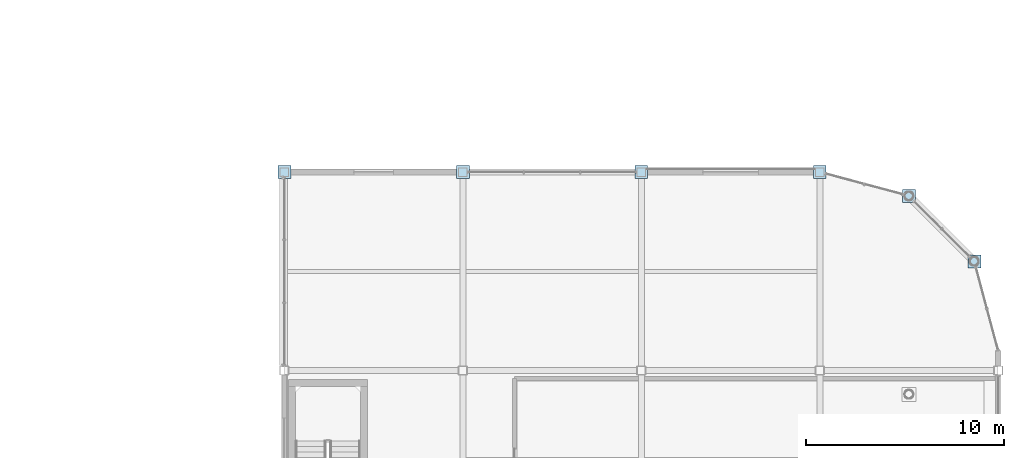
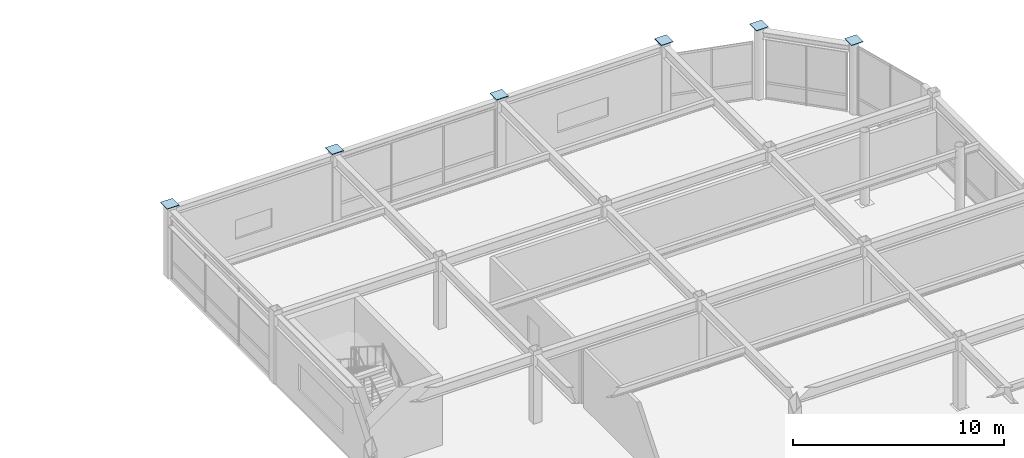
# One storey, part 71 of 105: 6 plates.
"""IFC4 building model written with IfcOpenShell, lengths in metres."""

import ifcopenshell
import ifcopenshell.guid

model = None  # the IFC model being written
_history = None  # IfcOwnerHistory: only IFC2X3 demands one
_inside = {}  # id of a spatial element -> (the spatial element, [elements in it])
_under = {}  # id of a project, library or spatial element -> (it, [spatial elements below it])
_declared = {}  # id of a project -> (the project, [libraries it declares])
_typed = {}  # id of a type object -> (the type object, [elements of that type])
_made_of = {}  # id of a material, layer set ... -> (it, [elements and type objects made of it])


def new_model(schema):
    """Start an empty IFC model of exactly this schema.

    Asked for "IFC4X3", IfcOpenShell would pick the latest addendum, in which some entities
    have other attributes; the version numbers below select the first issue.
    IFC2X3 requires an IfcOwnerHistory on every rooted entity: one is made here for all.
    """
    global model, _history
    if schema == "IFC4X3":
        model = ifcopenshell.file(schema_version=(4, 3, 0, 0))
    else:
        model = ifcopenshell.file(schema=schema)
    _inside.clear()
    _under.clear()
    _declared.clear()
    _typed.clear()
    _made_of.clear()
    _history = None
    if model.schema == "IFC2X3":
        org = make("IfcOrganization", Name="unknown")
        user = make(
            "IfcPersonAndOrganization",
            ThePerson=make("IfcPerson", FamilyName="unknown"),
            TheOrganization=org,
        )
        app = make(
            "IfcApplication",
            ApplicationDeveloper=org,
            Version="unknown",
            ApplicationFullName="unknown",
            ApplicationIdentifier="unknown",
        )
        _history = make(
            "IfcOwnerHistory",
            OwningUser=user,
            OwningApplication=app,
            ChangeAction="ADDED",
            CreationDate=0,
        )
    return model


def make(cls, **values):
    """One entity of the class cls with the attributes given. An attribute that is None is left unset."""
    return model.create_entity(
        cls, **{name: value for name, value in values.items() if value is not None}
    )


def rooted(cls, **values):
    """An entity with a GlobalId (a new one), such as an element, a storey or a relation."""
    return make(cls, GlobalId=ifcopenshell.guid.new(), OwnerHistory=_history, **values)


def si_unit(unit_type, name, prefix=None):
    """IfcSIUnit, for example si_unit("LENGTHUNIT", "METRE", prefix="MILLI")."""
    return make("IfcSIUnit", UnitType=unit_type, Prefix=prefix, Name=name)


def assignment(units):
    """IfcUnitAssignment: the units of a project."""
    return None if units is None else make("IfcUnitAssignment", Units=units)


def point(xyz):
    """IfcCartesianPoint."""
    return None if xyz is None else make("IfcCartesianPoint", Coordinates=xyz)


def direction(xyz):
    """IfcDirection."""
    return None if xyz is None else make("IfcDirection", DirectionRatios=xyz)


def frame(location, z_axis=None, x_axis=None):
    """IfcAxis2Placement3D, a coordinate frame: its origin and axes. An axis left out is left unset."""
    return make(
        "IfcAxis2Placement3D",
        Location=point(location),
        Axis=direction(z_axis),
        RefDirection=direction(x_axis),
    )


def frame_2d(location, x_axis=None):
    """IfcAxis2Placement2D, a coordinate frame in the plane: its origin and x axis."""
    return make(
        "IfcAxis2Placement2D", Location=point(location), RefDirection=direction(x_axis)
    )


def origin():
    """The frame at (0, 0, 0) with its axes left unset."""
    return frame((0.0, 0.0, 0.0))


def origin_2d():
    """The frame at (0, 0) in the plane with its x axis left unset."""
    return frame_2d((0.0, 0.0))


def place(relative_to, where):
    """IfcLocalPlacement: puts the frame where relative to a parent placement (None: the world)."""
    return make(
        "IfcLocalPlacement", PlacementRelTo=relative_to, RelativePlacement=where
    )


def context(
    kind, dimensions, precision=None, world=None, true_north=None, identifier=None
):
    """IfcGeometricRepresentationContext, for example the 3D "Model" context."""
    return make(
        "IfcGeometricRepresentationContext",
        ContextIdentifier=identifier,
        ContextType=kind,
        CoordinateSpaceDimension=dimensions,
        Precision=precision,
        WorldCoordinateSystem=world,
        TrueNorth=true_north,
    )


def subcontext(parent, identifier, kind, view, scale=None):
    """IfcGeometricRepresentationSubContext, for example "Body" below "Model"."""
    return make(
        "IfcGeometricRepresentationSubContext",
        ContextIdentifier=identifier,
        ContextType=kind,
        ParentContext=parent,
        TargetScale=scale,
        TargetView=view,
    )


def project(units=None, contexts=None):
    """IfcProject with its units and contexts."""
    return rooted(
        "IfcProject",
        Name="project",
        RepresentationContexts=contexts,
        UnitsInContext=assignment(units),
    )


def spatial(cls, under=None, at=None, **own):
    """A site, building, storey or space (cls), placed at a placement, below another one or the project."""
    s = rooted(cls, ObjectPlacement=at, **own)
    if under is not None:
        _under.setdefault(under.id(), (under, []))[1].append(s)
    return s


def profile(cls, at=None, kind="AREA", **sizes):
    """A parametric profile (cls). Its sizes go by their IFC names, for example OverallWidth=200.0."""
    return make(cls, ProfileType=kind, Position=at, **sizes)


def rectangle(**sizes):
    """IfcRectangleProfileDef."""
    return profile("IfcRectangleProfileDef", **sizes)


def extrude(swept, where, along, depth):
    """IfcExtrudedAreaSolid: the profile swept, set in the frame where, extruded along a direction by depth."""
    return make(
        "IfcExtrudedAreaSolid",
        SweptArea=swept,
        Position=where,
        ExtrudedDirection=direction(along),
        Depth=depth,
    )


def shape(context_of_items, identifier, shape_type, items):
    """IfcShapeRepresentation: the items that make up one representation, for example the "Body"."""
    return make(
        "IfcShapeRepresentation",
        ContextOfItems=context_of_items,
        RepresentationIdentifier=identifier,
        RepresentationType=shape_type,
        Items=items,
    )


def material(Name=None, Category=None):
    """IfcMaterial."""
    return make("IfcMaterial", Name=Name, Category=Category)


def layer(
    of_material, thickness, ventilated=None, Name=None, Category=None, Priority=None
):
    """IfcMaterialLayer: one layer of a wall or slab, of a material (None: an air gap)."""
    return make(
        "IfcMaterialLayer",
        Material=of_material,
        LayerThickness=thickness,
        IsVentilated=ventilated,
        Name=Name,
        Category=Category,
        Priority=Priority,
    )


def layer_set(layers, Name=None):
    """IfcMaterialLayerSet."""
    return make("IfcMaterialLayerSet", MaterialLayers=layers, LayerSetName=Name)


def made_of(thing, what):
    """Note that an element or type object is made of a material, layer set ...; save() writes the relation."""
    if what is not None:
        _made_of.setdefault(what.id(), (what, []))[1].append(thing)
    return thing


def type_object(cls, material=None, **own):
    """A type object (cls), such as IfcWallType, which elements share."""
    return made_of(rooted(cls, **own), material)


def element(
    cls,
    number,
    at=None,
    inside=None,
    cuts=None,
    type_object=None,
    material=None,
    context=None,
    identifier="Body",
    shape_type=None,
    held_by="IfcProductDefinitionShape",
    body=None,
    shapes=None,
    **own,
):
    """One element of the class cls, such as IfcWall. Its Tag is "e" and its number.

    at: its placement. inside: the storey or other place that contains it. cuts: it is an
    opening in that element (IfcRelVoidsElement). A single representation is given by context,
    identifier, shape_type and body (its items); several are given by shapes. held_by: the class
    of the entity that holds the representations. save() writes the other relations.
    """
    e = rooted(cls, Tag="e%d" % number, ObjectPlacement=at, **own)
    if body is not None:
        shapes = [shape(context, identifier, shape_type, body)]
    if shapes is not None:
        e.Representation = make(held_by, Representations=shapes)
    if inside is not None:
        _inside.setdefault(inside.id(), (inside, []))[1].append(e)
    if cuts is not None:
        rooted(
            "IfcRelVoidsElement", RelatingBuildingElement=cuts, RelatedOpeningElement=e
        )
    if type_object is not None:
        _typed.setdefault(type_object.id(), (type_object, []))[1].append(e)
    return made_of(e, material)


def aggregate(whole, parts):
    """IfcRelAggregates: a whole, such as a stair, and the parts it consists of."""
    return rooted("IfcRelAggregates", RelatingObject=whole, RelatedObjects=parts)


def save(model, path):
    """Write the relations noted so far, then the file.

    IfcRelAggregates (storeys below a building ...), IfcRelContainedInSpatialStructure (elements
    in a storey), IfcRelDefinesByType, IfcRelAssociatesMaterial and IfcRelDeclares: one each for
    every whole, place, type object, material and project.
    """
    for whole, parts in _under.values():
        aggregate(whole, parts)
    for where, things in _inside.values():
        rooted(
            "IfcRelContainedInSpatialStructure",
            RelatedElements=things,
            RelatingStructure=where,
        )
    for kind, things in _typed.values():
        rooted("IfcRelDefinesByType", RelatedObjects=things, RelatingType=kind)
    for what, things in _made_of.values():
        rooted("IfcRelAssociatesMaterial", RelatedObjects=things, RelatingMaterial=what)
    for by, libraries in _declared.values():
        rooted("IfcRelDeclares", RelatingContext=by, RelatedDefinitions=libraries)
    model.write(path)


model = new_model("IFC4")

# Units and contexts
model_context = context("Model", 3, precision=1e-05, world=origin(), true_north=direction((0.0, 1.0)))
body_context = subcontext(model_context, "Body", "Model", "MODEL_VIEW")
ifc_project = project(units=[si_unit("LENGTHUNIT", "METRE"), si_unit("AREAUNIT", "SQUARE_METRE"), si_unit("VOLUMEUNIT", "CUBIC_METRE"), si_unit("PLANEANGLEUNIT", "RADIAN"), si_unit("MASSUNIT", "GRAM", prefix="KILO")], contexts=[model_context])

# Site, building, storey
site_placement = place(None, origin())
site = spatial("IfcSite", under=ifc_project, at=site_placement, CompositionType="ELEMENT")
building_placement = place(site_placement, origin())
building = spatial("IfcBuilding", under=site, at=building_placement, Name="Suzunagisa Mobility Hub", CompositionType="ELEMENT")
storey_placement = place(building_placement, frame((0.0, 0.0, 5.10009765625)))
storey = spatial("IfcBuildingStorey", under=building, at=storey_placement, Name="L01", CompositionType="ELEMENT", Elevation=5.10009765625)

# Plates
ifc_material = material(Name="Steel SN490B", Category="steel")
ifc_layer = layer(ifc_material, 0.031982421875)
ifc_layer_set = layer_set([ifc_layer], Name="Steel SN490B")
plate_type = type_object("IfcPlateType", Name="Structural Steel Plate SP-05 650x650x32", PredefinedType="USERDEFINED", material=ifc_layer_set)
for number, where, z_axis, x_axis, name in (
    (1, (144.0, 108.0, 4.14013671875), (0.0, 0.0, 1.0), (1.0, 0.0, 0.0), "L01 Column Cap Plate CP-263"),
    (2, (153.0, 108.0, 4.14013671875), (0.0, 0.0, 1.0), (1.0, 0.0, 0.0), "L01 Column Cap Plate CP-276"),
    (3, (162.0, 108.0, 4.14013671875), (0.0, 0.0, 1.0), (1.0, 0.0, 0.0), "L01 Column Cap Plate CP-295"),
    (4, (171.0, 108.0, 4.14013671875), (0.0, 0.0, 1.0), (1.0, 0.0, 0.0), "L01 Column Cap Plate CP-308"),
    (5, (175.5, 106.794189453125, 4.14013671875), (0.0, 0.0, 1.0), (1.0, 0.0, 0.0), "L01 Column Cap Plate CP-314"),
    (6, (178.794189453125, 103.5, 4.14013671875), (0.0, 0.0, 1.0), (1.0, 0.0, 0.0), "L01 Column Cap Plate CP-320"),
):
    element("IfcPlate", number, at=place(storey_placement, frame(where, z_axis=z_axis, x_axis=x_axis)), inside=storey, type_object=plate_type, Name=name, ObjectType="BASE PLATE", PredefinedType="USERDEFINED", context=body_context, shape_type="SweptSolid", body=[
        extrude(rectangle(XDim=0.64990234375, YDim=0.64990234375, at=origin_2d()), origin(), (0.0, 0.0, 1.0), 0.031982421875),
    ])

save(model, "model.ifc")
